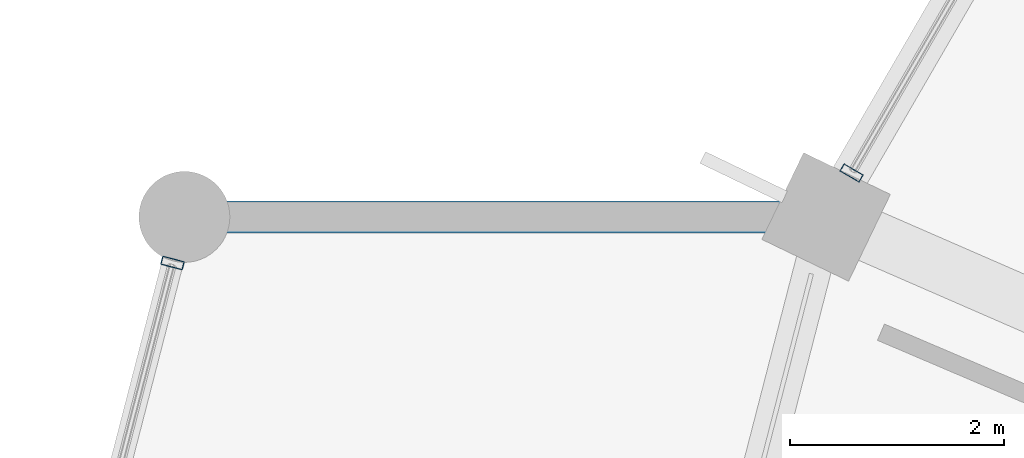
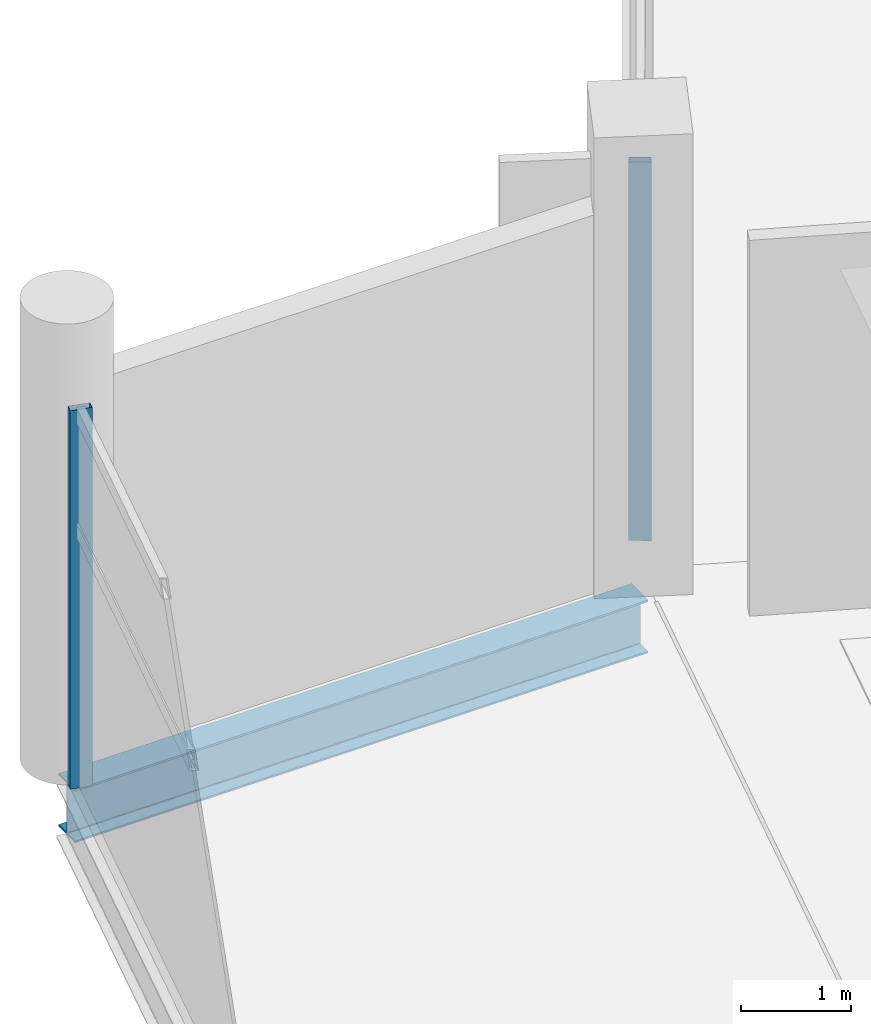
# One storey, part 54 of 184: 2 members, 1 beam, 2 elements without a shape of their own.
"""IFC4 building model written with IfcOpenShell, lengths in metres."""

from ifc_helpers import new_model, si_unit, direction, frame, origin, origin_2d, place, context, subcontext, project, spatial, hollow_rectangle, i_section, extrude, material, layer, layer_set, material_profile, profile_set, type_object, element, aggregate, save


model = new_model("IFC4")

# Units and contexts
model_context = context("Model", 3, precision=1e-05, world=origin(), true_north=direction((0.0, 1.0)))
body_context = subcontext(model_context, "Body", "Model", "MODEL_VIEW")
ifc_project = project(units=[si_unit("LENGTHUNIT", "METRE"), si_unit("AREAUNIT", "SQUARE_METRE"), si_unit("VOLUMEUNIT", "CUBIC_METRE"), si_unit("PLANEANGLEUNIT", "RADIAN"), si_unit("MASSUNIT", "GRAM", prefix="KILO")], contexts=[model_context])

# Site, building, storey
site_placement = place(None, origin())
site = spatial("IfcSite", under=ifc_project, at=site_placement, CompositionType="ELEMENT")
building_placement = place(site_placement, origin())
building = spatial("IfcBuilding", under=site, at=building_placement, Name="Kazemori Nagisa Stadium", CompositionType="ELEMENT")
storey_placement = place(building_placement, frame((0.0, 0.0, 10.5400390625)))
storey = spatial("IfcBuildingStorey", under=building, at=storey_placement, Name="L02", CompositionType="ELEMENT", Elevation=10.5400390625)

# Beam
ifc_material_1 = material(Name="Steel SN490B", Category="steel")
ifc_material_profile_1 = material_profile(ifc_material_1, i_section(OverallWidth=0.300048828125, OverallDepth=0.587890625, WebThickness=0.011962890625, FlangeThickness=0.02001953125, FilletRadius=0.012939453125, at=origin_2d()), Name="H-588x300x12x20")
ifc_profile_set_1 = profile_set([ifc_material_profile_1], Name="Steel SN490B")
beam_type = type_object("IfcBeamType", Name="Beam_BG-H588", PredefinedType="BEAM", material=ifc_profile_set_1)
beam_placement = place(storey_placement, frame((34.114990234375, 140.74951171875, -0.553955078125), z_axis=(-1.0, 0.0, 0.0), x_axis=(0.0, -1.0, 0.0)))
element("IfcBeam", 1, at=beam_placement, inside=storey, type_object=beam_type, Name="Boulevard radial girder BG-H588 L02 R4-13", PredefinedType="BEAM", context=body_context, shape_type="SweptSolid", body=[
    extrude(i_section(OverallWidth=0.300048828125, OverallDepth=0.587890625, WebThickness=0.011962890625, FlangeThickness=0.02001953125, FilletRadius=0.012939453125, at=origin_2d()), origin(), (0.0, 0.0, 1.0), 6.0),
])

# Curtain wall, member
ifc_material_2 = material(Name="Anodised aluminium 6063-T5", Category="aluminium")
ifc_layer_1 = layer(ifc_material_2, 0.2099609375, Name="Anodised aluminium 6063-T5", Category="aluminium")
ifc_layer_set_1 = layer_set([ifc_layer_1], Name="Anodised aluminium 6063-T5")
curtain_wall_type_1 = type_object("IfcCurtainWallType", Name="CW_L02R3_99", PredefinedType="USERDEFINED", material=ifc_layer_set_1)
curtain_wall_1_placement = place(storey_placement, origin())
curtain_wall_1 = element("IfcCurtainWall", 2, at=curtain_wall_1_placement, inside=storey, type_object=curtain_wall_type_1, Name="Unitised curtain wall CW-L02R3-99 L02", ObjectType="UNITISED CURTAIN WALL", PredefinedType="USERDEFINED")
ifc_material_3 = material(Name="Aluminium 6063-T5 anodised", Category="aluminium")
ifc_material_profile_2 = material_profile(ifc_material_3, hollow_rectangle(XDim=0.080078125, YDim=0.2099609375, WallThickness=0.0048828125, at=origin_2d()), Name="ALU-MULL-80x210x5")
ifc_profile_set_2 = profile_set([ifc_material_profile_2], Name="Aluminium 6063-T5 anodised")
member_type = type_object("IfcMemberType", Name="Mullion_M02", PredefinedType="MULLION", material=ifc_profile_set_2)
member_1_placement = place(storey_placement, frame((34.353271484375, 141.160400390625, 0.0), z_axis=(0.0, 0.0, 1.0), x_axis=(-0.501611590054, -0.865092950337, 0.0)))
member_1 = element("IfcMember", 3, at=member_1_placement, type_object=member_type, Name="Curtain wall mullion CW-L02R3-99-M4", PredefinedType="MULLION", context=body_context, shape_type="SweptSolid", body=[
    extrude(hollow_rectangle(XDim=0.080078125, YDim=0.2099609375, WallThickness=0.0048828125, at=origin_2d()), origin(), (0.0, 0.0, 1.0), 4.18994140625),
])
aggregate(curtain_wall_1, [member_1])

ifc_layer_2 = layer(ifc_material_2, 0.2099609375, Name="Anodised aluminium 6063-T5", Category="aluminium")
ifc_layer_set_2 = layer_set([ifc_layer_2], Name="Anodised aluminium 6063-T5")
curtain_wall_type_2 = type_object("IfcCurtainWallType", Name="CW_L02R3_96", PredefinedType="USERDEFINED", material=ifc_layer_set_2)
curtain_wall_2_placement = place(storey_placement, origin())
curtain_wall_2 = element("IfcCurtainWall", 4, at=curtain_wall_2_placement, inside=storey, type_object=curtain_wall_type_2, Name="Unitised curtain wall CW-L02R3-96 L02", ObjectType="UNITISED CURTAIN WALL", PredefinedType="USERDEFINED")
member_2_placement = place(storey_placement, frame((28.00390625, 140.318603515625, 0.0), z_axis=(0.0, 0.0, 1.0), x_axis=(-0.249964642418, -0.968254965152, 0.0)))
member_2 = element("IfcMember", 5, at=member_2_placement, type_object=member_type, Name="Curtain wall mullion CW-L02R3-96-M1", PredefinedType="MULLION", context=body_context, shape_type="SweptSolid", body=[
    extrude(hollow_rectangle(XDim=0.080078125, YDim=0.2099609375, WallThickness=0.0048828125, at=origin_2d()), origin(), (0.0, 0.0, 1.0), 4.18994140625),
])
aggregate(curtain_wall_2, [member_2])

save(model, "model.ifc")
